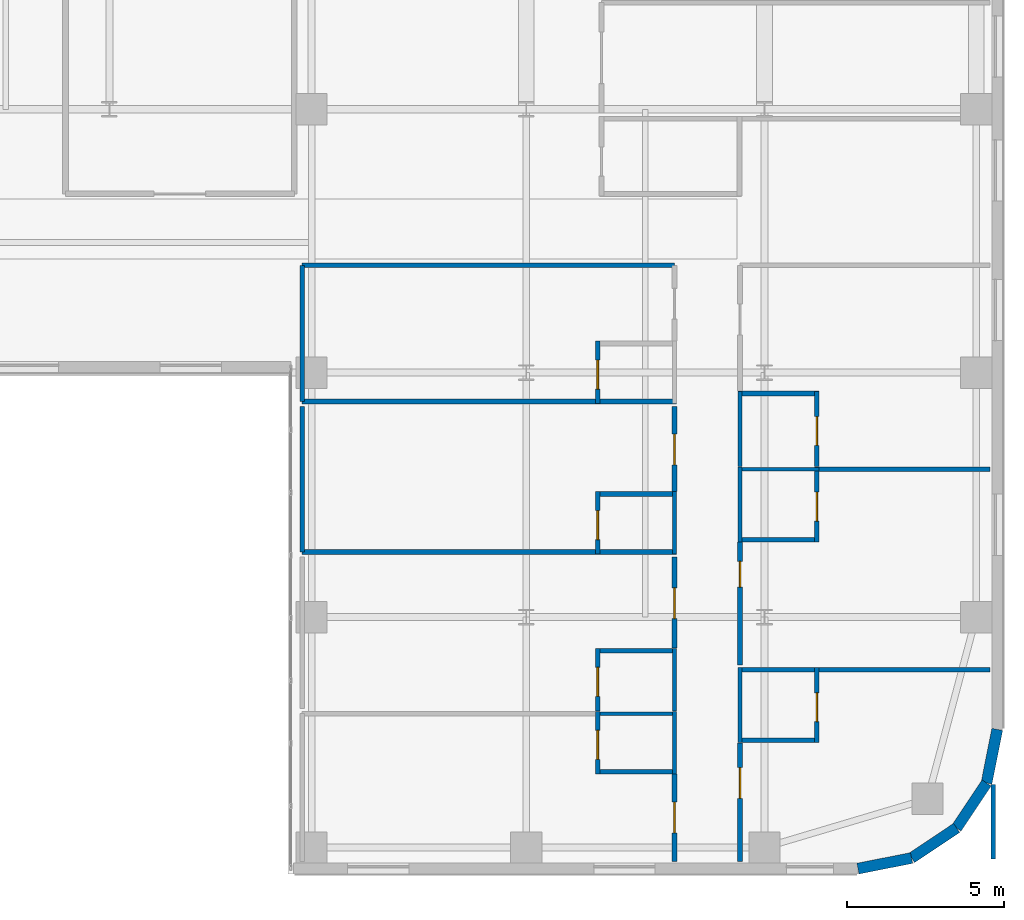
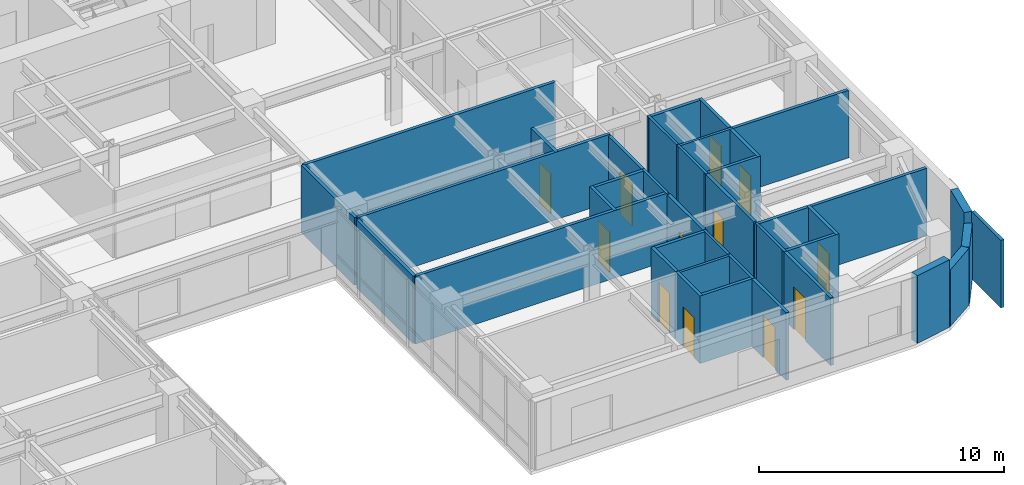
# One storey, part 16 of 25: 39 walls, 12 doors, 12 openings.
"""IFC4 building model written with IfcOpenShell, lengths in metres."""

import ifcopenshell
import ifcopenshell.guid

model = None  # the IFC model being written
_history = None  # IfcOwnerHistory: only IFC2X3 demands one
_inside = {}  # id of a spatial element -> (the spatial element, [elements in it])
_under = {}  # id of a project, library or spatial element -> (it, [spatial elements below it])
_declared = {}  # id of a project -> (the project, [libraries it declares])
_typed = {}  # id of a type object -> (the type object, [elements of that type])
_made_of = {}  # id of a material, layer set ... -> (it, [elements and type objects made of it])


def new_model(schema):
    """Start an empty IFC model of exactly this schema.

    Asked for "IFC4X3", IfcOpenShell would pick the latest addendum, in which some entities
    have other attributes; the version numbers below select the first issue.
    IFC2X3 requires an IfcOwnerHistory on every rooted entity: one is made here for all.
    """
    global model, _history
    if schema == "IFC4X3":
        model = ifcopenshell.file(schema_version=(4, 3, 0, 0))
    else:
        model = ifcopenshell.file(schema=schema)
    _inside.clear()
    _under.clear()
    _declared.clear()
    _typed.clear()
    _made_of.clear()
    _history = None
    if model.schema == "IFC2X3":
        org = make("IfcOrganization", Name="unknown")
        user = make(
            "IfcPersonAndOrganization",
            ThePerson=make("IfcPerson", FamilyName="unknown"),
            TheOrganization=org,
        )
        app = make(
            "IfcApplication",
            ApplicationDeveloper=org,
            Version="unknown",
            ApplicationFullName="unknown",
            ApplicationIdentifier="unknown",
        )
        _history = make(
            "IfcOwnerHistory",
            OwningUser=user,
            OwningApplication=app,
            ChangeAction="ADDED",
            CreationDate=0,
        )
    return model


def make(cls, **values):
    """One entity of the class cls with the attributes given. An attribute that is None is left unset."""
    return model.create_entity(
        cls, **{name: value for name, value in values.items() if value is not None}
    )


def rooted(cls, **values):
    """An entity with a GlobalId (a new one), such as an element, a storey or a relation."""
    return make(cls, GlobalId=ifcopenshell.guid.new(), OwnerHistory=_history, **values)


def si_unit(unit_type, name, prefix=None):
    """IfcSIUnit, for example si_unit("LENGTHUNIT", "METRE", prefix="MILLI")."""
    return make("IfcSIUnit", UnitType=unit_type, Prefix=prefix, Name=name)


def assignment(units):
    """IfcUnitAssignment: the units of a project."""
    return None if units is None else make("IfcUnitAssignment", Units=units)


def point(xyz):
    """IfcCartesianPoint."""
    return None if xyz is None else make("IfcCartesianPoint", Coordinates=xyz)


def direction(xyz):
    """IfcDirection."""
    return None if xyz is None else make("IfcDirection", DirectionRatios=xyz)


def frame(location, z_axis=None, x_axis=None):
    """IfcAxis2Placement3D, a coordinate frame: its origin and axes. An axis left out is left unset."""
    return make(
        "IfcAxis2Placement3D",
        Location=point(location),
        Axis=direction(z_axis),
        RefDirection=direction(x_axis),
    )


def frame_2d(location, x_axis=None):
    """IfcAxis2Placement2D, a coordinate frame in the plane: its origin and x axis."""
    return make(
        "IfcAxis2Placement2D", Location=point(location), RefDirection=direction(x_axis)
    )


def origin():
    """The frame at (0, 0, 0) with its axes left unset."""
    return frame((0.0, 0.0, 0.0))


def place(relative_to, where):
    """IfcLocalPlacement: puts the frame where relative to a parent placement (None: the world)."""
    return make(
        "IfcLocalPlacement", PlacementRelTo=relative_to, RelativePlacement=where
    )


def context(
    kind, dimensions, precision=None, world=None, true_north=None, identifier=None
):
    """IfcGeometricRepresentationContext, for example the 3D "Model" context."""
    return make(
        "IfcGeometricRepresentationContext",
        ContextIdentifier=identifier,
        ContextType=kind,
        CoordinateSpaceDimension=dimensions,
        Precision=precision,
        WorldCoordinateSystem=world,
        TrueNorth=true_north,
    )


def subcontext(parent, identifier, kind, view, scale=None):
    """IfcGeometricRepresentationSubContext, for example "Body" below "Model"."""
    return make(
        "IfcGeometricRepresentationSubContext",
        ContextIdentifier=identifier,
        ContextType=kind,
        ParentContext=parent,
        TargetScale=scale,
        TargetView=view,
    )


def project(units=None, contexts=None):
    """IfcProject with its units and contexts."""
    return rooted(
        "IfcProject",
        Name="project",
        RepresentationContexts=contexts,
        UnitsInContext=assignment(units),
    )


def spatial(cls, under=None, at=None, **own):
    """A site, building, storey or space (cls), placed at a placement, below another one or the project."""
    s = rooted(cls, ObjectPlacement=at, **own)
    if under is not None:
        _under.setdefault(under.id(), (under, []))[1].append(s)
    return s


def profile(cls, at=None, kind="AREA", **sizes):
    """A parametric profile (cls). Its sizes go by their IFC names, for example OverallWidth=200.0."""
    return make(cls, ProfileType=kind, Position=at, **sizes)


def rectangle(**sizes):
    """IfcRectangleProfileDef."""
    return profile("IfcRectangleProfileDef", **sizes)


def extrude(swept, where, along, depth):
    """IfcExtrudedAreaSolid: the profile swept, set in the frame where, extruded along a direction by depth."""
    return make(
        "IfcExtrudedAreaSolid",
        SweptArea=swept,
        Position=where,
        ExtrudedDirection=direction(along),
        Depth=depth,
    )


def shape(context_of_items, identifier, shape_type, items):
    """IfcShapeRepresentation: the items that make up one representation, for example the "Body"."""
    return make(
        "IfcShapeRepresentation",
        ContextOfItems=context_of_items,
        RepresentationIdentifier=identifier,
        RepresentationType=shape_type,
        Items=items,
    )


def source(mapping_origin, context_of_items, identifier, shape_type, items):
    """IfcRepresentationMap: a shape defined once, which mapped items show again and again."""
    return make(
        "IfcRepresentationMap",
        MappingOrigin=mapping_origin,
        MappedRepresentation=shape(context_of_items, identifier, shape_type, items),
    )


def transform(
    local_origin,
    x_axis=None,
    y_axis=None,
    z_axis=None,
    scale=None,
    scale2=None,
    scale3=None,
    uniform=True,
):
    """IfcCartesianTransformationOperator3D, or its non-uniform kind. x_axis, y_axis, z_axis: its Axis1, 2, 3."""
    if uniform:
        return make(
            "IfcCartesianTransformationOperator3D",
            Axis1=direction(x_axis),
            Axis2=direction(y_axis),
            LocalOrigin=point(local_origin),
            Scale=scale,
            Axis3=direction(z_axis),
        )
    return make(
        "IfcCartesianTransformationOperator3DnonUniform",
        Axis1=direction(x_axis),
        Axis2=direction(y_axis),
        LocalOrigin=point(local_origin),
        Scale=scale,
        Axis3=direction(z_axis),
        Scale2=scale2,
        Scale3=scale3,
    )


def mapped(mapping_source, mapping_target):
    """IfcMappedItem: shows the shape of a source again, moved by a transform."""
    return make(
        "IfcMappedItem", MappingSource=mapping_source, MappingTarget=mapping_target
    )


def material(Name=None, Category=None):
    """IfcMaterial."""
    return make("IfcMaterial", Name=Name, Category=Category)


def layer(
    of_material, thickness, ventilated=None, Name=None, Category=None, Priority=None
):
    """IfcMaterialLayer: one layer of a wall or slab, of a material (None: an air gap)."""
    return make(
        "IfcMaterialLayer",
        Material=of_material,
        LayerThickness=thickness,
        IsVentilated=ventilated,
        Name=Name,
        Category=Category,
        Priority=Priority,
    )


def layer_set(layers, Name=None):
    """IfcMaterialLayerSet."""
    return make("IfcMaterialLayerSet", MaterialLayers=layers, LayerSetName=Name)


def made_of(thing, what):
    """Note that an element or type object is made of a material, layer set ...; save() writes the relation."""
    if what is not None:
        _made_of.setdefault(what.id(), (what, []))[1].append(thing)
    return thing


def type_object(cls, material=None, **own):
    """A type object (cls), such as IfcWallType, which elements share."""
    return made_of(rooted(cls, **own), material)


def type_shapes(of_type, sources):
    """Give a type object the sources (RepresentationMaps) that its elements show as mapped items."""
    of_type.RepresentationMaps = sources


def element(
    cls,
    number,
    at=None,
    inside=None,
    cuts=None,
    type_object=None,
    material=None,
    context=None,
    identifier="Body",
    shape_type=None,
    held_by="IfcProductDefinitionShape",
    body=None,
    shapes=None,
    **own,
):
    """One element of the class cls, such as IfcWall. Its Tag is "e" and its number.

    at: its placement. inside: the storey or other place that contains it. cuts: it is an
    opening in that element (IfcRelVoidsElement). A single representation is given by context,
    identifier, shape_type and body (its items); several are given by shapes. held_by: the class
    of the entity that holds the representations. save() writes the other relations.
    """
    e = rooted(cls, Tag="e%d" % number, ObjectPlacement=at, **own)
    if body is not None:
        shapes = [shape(context, identifier, shape_type, body)]
    if shapes is not None:
        e.Representation = make(held_by, Representations=shapes)
    if inside is not None:
        _inside.setdefault(inside.id(), (inside, []))[1].append(e)
    if cuts is not None:
        rooted(
            "IfcRelVoidsElement", RelatingBuildingElement=cuts, RelatedOpeningElement=e
        )
    if type_object is not None:
        _typed.setdefault(type_object.id(), (type_object, []))[1].append(e)
    return made_of(e, material)


def fill(opening, filler):
    """IfcRelFillsElement: the door or window that sits in an opening."""
    return rooted(
        "IfcRelFillsElement",
        RelatingOpeningElement=opening,
        RelatedBuildingElement=filler,
    )


def aggregate(whole, parts):
    """IfcRelAggregates: a whole, such as a stair, and the parts it consists of."""
    return rooted("IfcRelAggregates", RelatingObject=whole, RelatedObjects=parts)


def save(model, path):
    """Write the relations noted so far, then the file.

    IfcRelAggregates (storeys below a building ...), IfcRelContainedInSpatialStructure (elements
    in a storey), IfcRelDefinesByType, IfcRelAssociatesMaterial and IfcRelDeclares: one each for
    every whole, place, type object, material and project.
    """
    for whole, parts in _under.values():
        aggregate(whole, parts)
    for where, things in _inside.values():
        rooted(
            "IfcRelContainedInSpatialStructure",
            RelatedElements=things,
            RelatingStructure=where,
        )
    for kind, things in _typed.values():
        rooted("IfcRelDefinesByType", RelatedObjects=things, RelatingType=kind)
    for what, things in _made_of.values():
        rooted("IfcRelAssociatesMaterial", RelatedObjects=things, RelatingMaterial=what)
    for by, libraries in _declared.values():
        rooted("IfcRelDeclares", RelatingContext=by, RelatedDefinitions=libraries)
    model.write(path)


model = new_model("IFC4")

# Units and contexts
model_context = context("Model", 3, precision=1e-05, world=origin(), true_north=direction((0.0, 1.0)))
body_context = subcontext(model_context, "Body", "Model", "MODEL_VIEW")
ifc_project = project(units=[si_unit("LENGTHUNIT", "METRE"), si_unit("AREAUNIT", "SQUARE_METRE"), si_unit("VOLUMEUNIT", "CUBIC_METRE"), si_unit("PLANEANGLEUNIT", "RADIAN"), si_unit("MASSUNIT", "GRAM", prefix="KILO")], contexts=[model_context])

# Site, building, storey
site_placement = place(None, origin())
site = spatial("IfcSite", under=ifc_project, at=site_placement, CompositionType="ELEMENT")
building_placement = place(site_placement, origin())
building = spatial("IfcBuilding", under=site, at=building_placement, Name="Tolvann Quenvar Hotel", CompositionType="ELEMENT")
storey_placement = place(building_placement, frame((0.0, 0.0, 46.199951171875)))
storey = spatial("IfcBuildingStorey", under=building, at=storey_placement, Name="L10", CompositionType="ELEMENT", Elevation=46.199951171875)

# Walls
ifc_material_1 = material(Name="Kiln-fired red and buff architectural clay brickwork and terracotta masonry", Category="masonry")
ifc_layer_1 = layer(ifc_material_1, 0.35009765625)
ifc_layer_set_1 = layer_set([ifc_layer_1], Name="Kiln-fired red and buff architectural clay brickwork and terracotta masonry")
wall_type_1 = type_object("IfcWallType", Name="WALL_EXT_BRICK_350", PredefinedType="SOLIDWALL", material=ifc_layer_set_1)
wall_1_placement = place(storey_placement, frame((52.3828125, 0.175048828125, 0.0), z_axis=(0.0, 0.0, 1.0), x_axis=(0.980800971659, 0.195011420161, 0.0)))
element("IfcWall", 1, at=wall_1_placement, inside=storey, type_object=wall_type_1, Name="Exterior Chicago Brick Wall L10-E09", PredefinedType="SOLIDWALL", context=body_context, shape_type="SweptSolid", body=[
    extrude(rectangle(XDim=1.74267578125, YDim=0.35009765625, at=frame_2d((0.871337890625, 0.0))), origin(), (0.0, 0.0, 1.0), 3.3701171875),
])
for number, where, z_axis, x_axis, name in (
    (2, (54.092041015625, 0.514892578125, 0.0), (0.0, 0.0, 1.0), (0.831483840845, 0.55554893791, 0.0), "Exterior Chicago Brick Wall L10-E10"),
    (3, (55.526611328125, 1.473388671875, 0.0), (0.0, 0.0, 1.0), (0.55554893791, 0.831483840845, 0.0), "Exterior Chicago Brick Wall L10-E11"),
):
    element("IfcWall", number, at=place(storey_placement, frame(where, z_axis=z_axis, x_axis=x_axis)), inside=storey, type_object=wall_type_1, Name=name, PredefinedType="SOLIDWALL", context=body_context, shape_type="SweptSolid", body=[
        extrude(rectangle(XDim=1.725341796875, YDim=0.35009765625, at=frame_2d((0.86279296875, 0.0))), origin(), (0.0, 0.0, 1.0), 2.83203125),
    ])
wall_2_placement = place(storey_placement, frame((56.485107421875, 2.907958984375, 0.0), z_axis=(0.0, 0.0, 1.0), x_axis=(0.195011420161, 0.980800971659, 0.0)))
element("IfcWall", 4, at=wall_2_placement, inside=storey, type_object=wall_type_1, Name="Exterior Chicago Brick Wall L10-E12", PredefinedType="SOLIDWALL", context=body_context, shape_type="SweptSolid", body=[
    extrude(rectangle(XDim=1.74267578125, YDim=0.35009765625, at=frame_2d((0.871337890625, 0.0))), origin(), (0.0, 0.0, 1.0), 3.3701171875),
])
ifc_material_2 = material(Name="Moisture-resistant acoustic plumbing wall assembly")
ifc_layer_2 = layer(ifc_material_2, 0.1201171875)
ifc_layer_set_2 = layer_set([ifc_layer_2], Name="Moisture-resistant acoustic plumbing wall assembly")
wall_type_2 = type_object("IfcWallType", Name="WALL_PART_BATH_120", PredefinedType="PLUMBINGWALL", material=ifc_layer_set_2)
wall_3_placement = place(storey_placement, frame((44.010009765625, 5.1201171875, 0.0), z_axis=(0.0, 0.0, 1.0), x_axis=(1.0, 0.0, 0.0)))
element("IfcWall", 5, at=wall_3_placement, inside=storey, type_object=wall_type_2, Name="Non-Rated Plumbing Partition PT-SPC-L10-ENS-EI01-N", PredefinedType="PLUMBINGWALL", context=body_context, shape_type="SweptSolid", body=[
    extrude(rectangle(XDim=2.590087890625, YDim=0.1201171875, at=frame_2d((1.294921875, 0.0))), origin(), (0.0, 0.0, 1.0), 3.3701171875),
])
for number, where, z_axis, x_axis, name in (
    (6, (46.530029296875, 3.199951171875, 0.0), (0.0, 0.0, 1.0), (0.0, 1.0, 0.0), "Non-Rated Plumbing Partition PT-SPC-L10-ENS-EI01-E"),
    (7, (46.530029296875, 5.2099609375, 0.0), (0.0, 0.0, 1.0), (0.0, 1.0, 0.0), "Non-Rated Plumbing Partition PT-SPC-L10-ENS-EI02-E"),
    (8, (46.530029296875, 10.2099609375, 0.0), (0.0, 0.0, 1.0), (0.0, 1.0, 0.0), "Non-Rated Plumbing Partition PT-SPC-L10-ENS-EI03-E"),
):
    element("IfcWall", number, at=place(storey_placement, frame(where, z_axis=z_axis, x_axis=x_axis)), inside=storey, type_object=wall_type_2, Name=name, PredefinedType="PLUMBINGWALL", context=body_context, shape_type="SweptSolid", body=[
        extrude(rectangle(XDim=1.989990234375, YDim=0.1201171875, at=frame_2d((0.9951171875, 0.0))), origin(), (0.0, 0.0, 1.0), 3.3701171875),
    ])
wall_4_placement = place(storey_placement, frame((48.6201171875, 4.199951171875, 0.0), z_axis=(0.0, 0.0, 1.0), x_axis=(0.0, 1.0, 0.0)))
element("IfcWall", 9, at=wall_4_placement, inside=storey, type_object=wall_type_2, Name="Non-Rated Plumbing Partition PT-SPC-L10-ENS-EO01-W", PredefinedType="PLUMBINGWALL", context=body_context, shape_type="SweptSolid", body=[
    extrude(rectangle(XDim=2.39013671875, YDim=0.1201171875, at=frame_2d((1.195068359375, 0.0))), origin(), (0.0, 0.0, 1.0), 3.3701171875),
])
wall_5_placement = place(storey_placement, frame((48.550048828125, 12.919921875, 0.0), z_axis=(0.0, 0.0, 1.0), x_axis=(1.0, 0.0, 0.0)))
element("IfcWall", 10, at=wall_5_placement, inside=storey, type_object=wall_type_2, Name="Non-Rated Plumbing Partition PT-SPC-L10-ENS-EO02-N", PredefinedType="PLUMBINGWALL", context=body_context, shape_type="SweptSolid", body=[
    extrude(rectangle(XDim=2.58984375, YDim=0.1201171875, at=frame_2d((1.294921875, 0.0))), origin(), (0.0, 0.0, 1.0), 3.3701171875),
])
for number, where, z_axis, x_axis, name in (
    (11, (48.6201171875, 10.60009765625, 0.0), (0.0, 0.0, 1.0), (0.0, 1.0, 0.0), "Non-Rated Plumbing Partition PT-SPC-L10-ENS-EO02-W"),
    (12, (48.6201171875, 13.010009765625, 0.0), (0.0, 0.0, 1.0), (0.0, 1.0, 0.0), "Non-Rated Plumbing Partition PT-SPC-L10-ENS-EO03-W"),
):
    element("IfcWall", number, at=place(storey_placement, frame(where, z_axis=z_axis, x_axis=x_axis)), inside=storey, type_object=wall_type_2, Name=name, PredefinedType="PLUMBINGWALL", context=body_context, shape_type="SweptSolid", body=[
        extrude(rectangle(XDim=2.389892578125, YDim=0.1201171875, at=frame_2d((1.19482421875, 0.0))), origin(), (0.0, 0.0, 1.0), 3.3701171875),
    ])

# Wall, opening, door
ifc_material_3 = material(Name="Acoustic twin-stud fire-rated gypsum plasterboard partition")
ifc_layer_3 = layer(ifc_material_3, 0.14990234375)
ifc_layer_set_3 = layer_set([ifc_layer_3], Name="Acoustic twin-stud fire-rated gypsum plasterboard partition")
wall_type_3 = type_object("IfcWallType", Name="WALL_PART_SUITE_150", PredefinedType="PARTITIONING", material=ifc_layer_set_3)
wall_6_placement = place(storey_placement, frame((44.080078125, 3.199951171875, 0.0), z_axis=(0.0, 0.0, 1.0), x_axis=(0.0, 1.0, 0.0)))
wall_6 = element("IfcWall", 13, at=wall_6_placement, inside=storey, type_object=wall_type_3, Name="Interior Partition PT-SPC-L10-ENS-EI01-ENT", PredefinedType="PARTITIONING", context=body_context, shape_type="SweptSolid", body=[
    extrude(rectangle(XDim=1.989990234375, YDim=0.14990234375, at=frame_2d((0.9951171875, 0.0))), origin(), (0.0, 0.0, 1.0), 3.3701171875),
])
opening_1_placement = place(wall_6_placement, frame((0.465087890625, 0.0, 0.0)))
opening_1 = element("IfcOpeningElement", 14, at=opening_1_placement, cuts=wall_6, Name="Opening WD-01", PredefinedType="OPENING", context=body_context, shape_type="SweptSolid", body=[
    extrude(rectangle(XDim=0.919921875, YDim=2.010009765625, at=frame_2d((0.4599609375, 1.0048828125))), frame((0.0, 0.0849609375, 0.0), z_axis=(0.0, -1.0, 0.0), x_axis=(1.0, 0.0, 0.0)), (0.0, 0.0, 1.0), 0.169921875),
])
ifc_material_4 = material(Name="Solid-core American oak acoustic fire door leaf in steel frame", Category="steel")
door_type_1 = type_object("IfcDoorType", Name="DOOR_WC_920", OperationType="NOTDEFINED", PredefinedType="DOOR", material=ifc_material_4)
shared_shape_1 = source(origin(), body_context, "Body", "SweptSolid", [
    extrude(rectangle(XDim=0.919921875, YDim=2.010009765625, at=frame_2d((0.4599609375, 1.0048828125))), frame((0.0, 0.02490234375, 0.0), z_axis=(0.0, -1.0, 0.0), x_axis=(1.0, 0.0, 0.0)), (0.0, 0.0, 1.0), 0.050048828125),
])
type_shapes(door_type_1, [shared_shape_1])
door_1_placement = place(opening_1_placement, origin())
door_1 = element("IfcDoor", 15, at=door_1_placement, inside=storey, type_object=door_type_1, Name="Interior Door DOOR-SPC-L10-ENS-EI01", OperationType="SINGLE_SWING_LEFT", OverallHeight=2.010009765625, OverallWidth=0.919921875, PredefinedType="DOOR", context=body_context, shape_type="MappedRepresentation", body=[
    mapped(shared_shape_1, transform((0.0, 0.0, 0.0), x_axis=(1.0, 0.0, 0.0), y_axis=(0.0, 1.0, 0.0), z_axis=(0.0, 0.0, 1.0), scale=1.0)),
])
fill(opening_1, door_1)

# Wall
wall_7_placement = place(storey_placement, frame((44.010009765625, 3.27001953125, 0.0), z_axis=(0.0, 0.0, 1.0), x_axis=(1.0, 0.0, 0.0)))
element("IfcWall", 16, at=wall_7_placement, inside=storey, type_object=wall_type_3, Name="Interior Partition PT-SPC-L10-ENS-EI01-S", PredefinedType="PARTITIONING", context=body_context, shape_type="SweptSolid", body=[
    extrude(rectangle(XDim=2.590087890625, YDim=0.14990234375, at=frame_2d((1.294921875, 0.0))), origin(), (0.0, 0.0, 1.0), 3.3701171875),
])

# Wall, opening, door
wall_8_placement = place(storey_placement, frame((44.080078125, 5.2099609375, 0.0), z_axis=(0.0, 0.0, 1.0), x_axis=(0.0, 1.0, 0.0)))
wall_8 = element("IfcWall", 17, at=wall_8_placement, inside=storey, type_object=wall_type_3, Name="Interior Partition PT-SPC-L10-ENS-EI02-ENT", PredefinedType="PARTITIONING", context=body_context, shape_type="SweptSolid", body=[
    extrude(rectangle(XDim=1.989990234375, YDim=0.14990234375, at=frame_2d((0.9951171875, 0.0))), origin(), (0.0, 0.0, 1.0), 3.3701171875),
])
opening_2_placement = place(wall_8_placement, frame((0.465087890625, 0.0, 0.0)))
opening_2 = element("IfcOpeningElement", 18, at=opening_2_placement, cuts=wall_8, Name="Opening WD-01", PredefinedType="OPENING", context=body_context, shape_type="SweptSolid", body=[
    extrude(rectangle(XDim=0.919921875, YDim=2.010009765625, at=frame_2d((0.4599609375, 1.0048828125))), frame((0.0, 0.0849609375, 0.0), z_axis=(0.0, -1.0, 0.0), x_axis=(1.0, 0.0, 0.0)), (0.0, 0.0, 1.0), 0.169921875),
])
door_2_placement = place(opening_2_placement, origin())
door_2 = element("IfcDoor", 19, at=door_2_placement, inside=storey, type_object=door_type_1, Name="Interior Door DOOR-SPC-L10-ENS-EI02", OperationType="SINGLE_SWING_RIGHT", OverallHeight=2.010009765625, OverallWidth=0.919921875, PredefinedType="DOOR", context=body_context, shape_type="MappedRepresentation", body=[
    mapped(shared_shape_1, transform((0.0, 0.0, 0.0), x_axis=(1.0, 0.0, 0.0), y_axis=(0.0, 1.0, 0.0), z_axis=(0.0, 0.0, 1.0), scale=1.0)),
])
fill(opening_2, door_2)

# Wall
wall_9_placement = place(storey_placement, frame((44.010009765625, 7.1298828125, 0.0), z_axis=(0.0, 0.0, 1.0), x_axis=(1.0, 0.0, 0.0)))
element("IfcWall", 20, at=wall_9_placement, inside=storey, type_object=wall_type_3, Name="Interior Partition PT-SPC-L10-ENS-EI02-N", PredefinedType="PARTITIONING", context=body_context, shape_type="SweptSolid", body=[
    extrude(rectangle(XDim=2.590087890625, YDim=0.14990234375, at=frame_2d((1.294921875, 0.0))), origin(), (0.0, 0.0, 1.0), 3.3701171875),
])

# Wall, opening, door
wall_10_placement = place(storey_placement, frame((44.080078125, 10.2099609375, 0.0), z_axis=(0.0, 0.0, 1.0), x_axis=(0.0, 1.0, 0.0)))
wall_10 = element("IfcWall", 21, at=wall_10_placement, inside=storey, type_object=wall_type_3, Name="Interior Partition PT-SPC-L10-ENS-EI03-ENT", PredefinedType="PARTITIONING", context=body_context, shape_type="SweptSolid", body=[
    extrude(rectangle(XDim=1.989990234375, YDim=0.14990234375, at=frame_2d((0.9951171875, 0.0))), origin(), (0.0, 0.0, 1.0), 3.3701171875),
])
opening_3_placement = place(wall_10_placement, frame((0.465087890625, 0.0, 0.0)))
opening_3 = element("IfcOpeningElement", 22, at=opening_3_placement, cuts=wall_10, Name="Opening WD-01", PredefinedType="OPENING", context=body_context, shape_type="SweptSolid", body=[
    extrude(rectangle(XDim=0.919921875, YDim=2.010009765625, at=frame_2d((0.4599609375, 1.0048828125))), frame((0.0, 0.0849609375, 0.0), z_axis=(0.0, -1.0, 0.0), x_axis=(1.0, 0.0, 0.0)), (0.0, 0.0, 1.0), 0.169921875),
])
door_3_placement = place(opening_3_placement, origin())
door_3 = element("IfcDoor", 23, at=door_3_placement, inside=storey, type_object=door_type_1, Name="Interior Door DOOR-SPC-L10-ENS-EI03", OperationType="SINGLE_SWING_LEFT", OverallHeight=2.010009765625, OverallWidth=0.919921875, PredefinedType="DOOR", context=body_context, shape_type="MappedRepresentation", body=[
    mapped(shared_shape_1, transform((0.0, 0.0, 0.0), x_axis=(1.0, 0.0, 0.0), y_axis=(0.0, 1.0, 0.0), z_axis=(0.0, 0.0, 1.0), scale=1.0)),
])
fill(opening_3, door_3)

# Walls
wall_11_placement = place(storey_placement, frame((34.64990234375, 10.280029296875, 0.0), z_axis=(0.0, 0.0, 1.0), x_axis=(1.0, 0.0, 0.0)))
element("IfcWall", 24, at=wall_11_placement, inside=storey, type_object=wall_type_3, Name="Interior Partition PT-SPC-L10-ENS-EI03-S", PredefinedType="PARTITIONING", context=body_context, shape_type="SweptSolid", body=[
    extrude(rectangle(XDim=11.9501953125, YDim=0.14990234375, at=frame_2d((5.97509765625, 0.0))), origin(), (0.0, 0.0, 1.0), 3.3701171875),
])
wall_12_placement = place(storey_placement, frame((44.010009765625, 12.1298828125, 0.0), z_axis=(0.0, 0.0, 1.0), x_axis=(1.0, 0.0, 0.0)))
element("IfcWall", 25, at=wall_12_placement, inside=storey, type_object=wall_type_3, Name="Interior Partition PT-SPC-L10-ENS-EI03-N", PredefinedType="PARTITIONING", context=body_context, shape_type="SweptSolid", body=[
    extrude(rectangle(XDim=2.590087890625, YDim=0.14990234375, at=frame_2d((1.294921875, 0.0))), origin(), (0.0, 0.0, 1.0), 3.3701171875),
])

# Wall, opening, door
wall_13_placement = place(storey_placement, frame((44.080078125, 15.010009765625, 0.0), z_axis=(0.0, 0.0, 1.0), x_axis=(0.0, 1.0, 0.0)))
wall_13 = element("IfcWall", 26, at=wall_13_placement, inside=storey, type_object=wall_type_3, Name="Interior Partition PT-SPC-L10-ENS-EI04-ENT", PredefinedType="PARTITIONING", context=body_context, shape_type="SweptSolid", body=[
    extrude(rectangle(XDim=1.989990234375, YDim=0.14990234375, at=frame_2d((0.9951171875, 0.0))), origin(), (0.0, 0.0, 1.0), 3.3701171875),
])
opening_4_placement = place(wall_13_placement, frame((0.465087890625, 0.0, 0.0)))
opening_4 = element("IfcOpeningElement", 27, at=opening_4_placement, cuts=wall_13, Name="Opening WD-01", PredefinedType="OPENING", context=body_context, shape_type="SweptSolid", body=[
    extrude(rectangle(XDim=0.919921875, YDim=2.010009765625, at=frame_2d((0.4599609375, 1.0048828125))), frame((0.0, 0.0849609375, 0.0), z_axis=(0.0, -1.0, 0.0), x_axis=(1.0, 0.0, 0.0)), (0.0, 0.0, 1.0), 0.169921875),
])
door_4_placement = place(opening_4_placement, origin())
door_4 = element("IfcDoor", 28, at=door_4_placement, inside=storey, type_object=door_type_1, Name="Interior Door DOOR-SPC-L10-ENS-EI04", OperationType="SINGLE_SWING_RIGHT", OverallHeight=2.010009765625, OverallWidth=0.919921875, PredefinedType="DOOR", context=body_context, shape_type="MappedRepresentation", body=[
    mapped(shared_shape_1, transform((0.0, 0.0, 0.0), x_axis=(1.0, 0.0, 0.0), y_axis=(0.0, 1.0, 0.0), z_axis=(0.0, 0.0, 1.0), scale=1.0)),
])
fill(opening_4, door_4)

# Wall
wall_14_placement = place(storey_placement, frame((34.64990234375, 15.080078125, 0.0), z_axis=(0.0, 0.0, 1.0), x_axis=(1.0, 0.0, 0.0)))
element("IfcWall", 29, at=wall_14_placement, inside=storey, type_object=wall_type_3, Name="Interior Partition PT-SPC-L10-ENS-EI04-S", PredefinedType="PARTITIONING", context=body_context, shape_type="SweptSolid", body=[
    extrude(rectangle(XDim=11.9501953125, YDim=0.14990234375, at=frame_2d((5.97509765625, 0.0))), origin(), (0.0, 0.0, 1.0), 3.3701171875),
])

# Wall, opening, door
wall_15_placement = place(storey_placement, frame((51.070068359375, 4.199951171875, 0.0), z_axis=(0.0, 0.0, 1.0), x_axis=(0.0, 1.0, 0.0)))
wall_15 = element("IfcWall", 30, at=wall_15_placement, inside=storey, type_object=wall_type_3, Name="Interior Partition PT-SPC-L10-ENS-EO01-ENT", PredefinedType="PARTITIONING", context=body_context, shape_type="SweptSolid", body=[
    extrude(rectangle(XDim=2.39013671875, YDim=0.14990234375, at=frame_2d((1.195068359375, 0.0))), origin(), (0.0, 0.0, 1.0), 3.3701171875),
])
opening_5_placement = place(wall_15_placement, frame((0.6650390625, 0.0, 0.0)))
opening_5 = element("IfcOpeningElement", 31, at=opening_5_placement, cuts=wall_15, Name="Opening WD-01", PredefinedType="OPENING", context=body_context, shape_type="SweptSolid", body=[
    extrude(rectangle(XDim=0.919921875, YDim=2.010009765625, at=frame_2d((0.4599609375, 1.0048828125))), frame((0.0, 0.0849609375, 0.0), z_axis=(0.0, -1.0, 0.0), x_axis=(1.0, 0.0, 0.0)), (0.0, 0.0, 1.0), 0.169921875),
])
door_5_placement = place(opening_5_placement, origin())
door_5 = element("IfcDoor", 32, at=door_5_placement, inside=storey, type_object=door_type_1, Name="Interior Door DOOR-SPC-L10-ENS-EO01", OperationType="SINGLE_SWING_LEFT", OverallHeight=2.010009765625, OverallWidth=0.919921875, PredefinedType="DOOR", context=body_context, shape_type="MappedRepresentation", body=[
    mapped(shared_shape_1, transform((0.0, 0.0, 0.0), x_axis=(1.0, 0.0, 0.0), y_axis=(0.0, 1.0, 0.0), z_axis=(0.0, 0.0, 1.0), scale=1.0)),
])
fill(opening_5, door_5)

# Walls
for number, where, z_axis, x_axis, name in (
    (33, (48.550048828125, 4.27001953125, 0.0), (0.0, 0.0, 1.0), (1.0, 0.0, 0.0), "Interior Partition PT-SPC-L10-ENS-EO01-S"),
    (34, (48.550048828125, 6.52001953125, 0.0), (0.0, 0.0, 1.0), (1.0, 0.0, 0.0), "Interior Partition PT-SPC-L10-ENS-EO01-N"),
):
    element("IfcWall", number, at=place(storey_placement, frame(where, z_axis=z_axis, x_axis=x_axis)), inside=storey, type_object=wall_type_3, Name=name, PredefinedType="PARTITIONING", context=body_context, shape_type="SweptSolid", body=[
        extrude(rectangle(XDim=2.58984375, YDim=0.14990234375, at=frame_2d((1.294921875, 0.0))), origin(), (0.0, 0.0, 1.0), 3.3701171875),
    ])

# Wall, opening, door
wall_16_placement = place(storey_placement, frame((51.070068359375, 10.60009765625, 0.0), z_axis=(0.0, 0.0, 1.0), x_axis=(0.0, 1.0, 0.0)))
wall_16 = element("IfcWall", 35, at=wall_16_placement, inside=storey, type_object=wall_type_3, Name="Interior Partition PT-SPC-L10-ENS-EO02-ENT", PredefinedType="PARTITIONING", context=body_context, shape_type="SweptSolid", body=[
    extrude(rectangle(XDim=2.389892578125, YDim=0.14990234375, at=frame_2d((1.19482421875, 0.0))), origin(), (0.0, 0.0, 1.0), 3.3701171875),
])
opening_6_placement = place(wall_16_placement, frame((0.6650390625, 0.0, 0.0)))
opening_6 = element("IfcOpeningElement", 36, at=opening_6_placement, cuts=wall_16, Name="Opening WD-01", PredefinedType="OPENING", context=body_context, shape_type="SweptSolid", body=[
    extrude(rectangle(XDim=0.919921875, YDim=2.010009765625, at=frame_2d((0.4599609375, 1.0048828125))), frame((0.0, 0.0849609375, 0.0), z_axis=(0.0, -1.0, 0.0), x_axis=(1.0, 0.0, 0.0)), (0.0, 0.0, 1.0), 0.169921875),
])
door_6_placement = place(opening_6_placement, origin())
door_6 = element("IfcDoor", 37, at=door_6_placement, inside=storey, type_object=door_type_1, Name="Interior Door DOOR-SPC-L10-ENS-EO02", OperationType="SINGLE_SWING_RIGHT", OverallHeight=2.010009765625, OverallWidth=0.919921875, PredefinedType="DOOR", context=body_context, shape_type="MappedRepresentation", body=[
    mapped(shared_shape_1, transform((0.0, 0.0, 0.0), x_axis=(1.0, 0.0, 0.0), y_axis=(0.0, 1.0, 0.0), z_axis=(0.0, 0.0, 1.0), scale=1.0)),
])
fill(opening_6, door_6)

# Wall
wall_17_placement = place(storey_placement, frame((48.550048828125, 10.669921875, 0.0), z_axis=(0.0, 0.0, 1.0), x_axis=(1.0, 0.0, 0.0)))
element("IfcWall", 38, at=wall_17_placement, inside=storey, type_object=wall_type_3, Name="Interior Partition PT-SPC-L10-ENS-EO02-S", PredefinedType="PARTITIONING", context=body_context, shape_type="SweptSolid", body=[
    extrude(rectangle(XDim=2.58984375, YDim=0.14990234375, at=frame_2d((1.294921875, 0.0))), origin(), (0.0, 0.0, 1.0), 3.3701171875),
])

# Wall, opening, door
wall_18_placement = place(storey_placement, frame((51.070068359375, 13.010009765625, 0.0), z_axis=(0.0, 0.0, 1.0), x_axis=(0.0, 1.0, 0.0)))
wall_18 = element("IfcWall", 39, at=wall_18_placement, inside=storey, type_object=wall_type_3, Name="Interior Partition PT-SPC-L10-ENS-EO03-ENT", PredefinedType="PARTITIONING", context=body_context, shape_type="SweptSolid", body=[
    extrude(rectangle(XDim=2.389892578125, YDim=0.14990234375, at=frame_2d((1.19482421875, 0.0))), origin(), (0.0, 0.0, 1.0), 3.3701171875),
])
opening_7_placement = place(wall_18_placement, frame((0.6650390625, 0.0, 0.0)))
opening_7 = element("IfcOpeningElement", 40, at=opening_7_placement, cuts=wall_18, Name="Opening WD-01", PredefinedType="OPENING", context=body_context, shape_type="SweptSolid", body=[
    extrude(rectangle(XDim=0.919921875, YDim=2.010009765625, at=frame_2d((0.4599609375, 1.0048828125))), frame((0.0, 0.0849609375, 0.0), z_axis=(0.0, -1.0, 0.0), x_axis=(1.0, 0.0, 0.0)), (0.0, 0.0, 1.0), 0.169921875),
])
door_7_placement = place(opening_7_placement, origin())
door_7 = element("IfcDoor", 41, at=door_7_placement, inside=storey, type_object=door_type_1, Name="Interior Door DOOR-SPC-L10-ENS-EO03", OperationType="SINGLE_SWING_LEFT", OverallHeight=2.010009765625, OverallWidth=0.919921875, PredefinedType="DOOR", context=body_context, shape_type="MappedRepresentation", body=[
    mapped(shared_shape_1, transform((0.0, 0.0, 0.0), x_axis=(1.0, 0.0, 0.0), y_axis=(0.0, 1.0, 0.0), z_axis=(0.0, 0.0, 1.0), scale=1.0)),
])
fill(opening_7, door_7)

# Wall
wall_19_placement = place(storey_placement, frame((48.550048828125, 15.330078125, 0.0), z_axis=(0.0, 0.0, 1.0), x_axis=(1.0, 0.0, 0.0)))
element("IfcWall", 42, at=wall_19_placement, inside=storey, type_object=wall_type_3, Name="Interior Partition PT-SPC-L10-ENS-EO03-N", PredefinedType="PARTITIONING", context=body_context, shape_type="SweptSolid", body=[
    extrude(rectangle(XDim=2.58984375, YDim=0.14990234375, at=frame_2d((1.294921875, 0.0))), origin(), (0.0, 0.0, 1.0), 3.3701171875),
])

# Wall, opening, door
wall_20_placement = place(storey_placement, frame((46.530029296875, 0.405029296875, 0.0), z_axis=(0.0, 0.0, 1.0), x_axis=(0.0, 1.0, 0.0)))
wall_20 = element("IfcWall", 43, at=wall_20_placement, inside=storey, type_object=wall_type_3, Name="Interior Partition PT-SPC-L10-RM-EI01-ENT", PredefinedType="PARTITIONING", context=body_context, shape_type="SweptSolid", body=[
    extrude(rectangle(XDim=2.784912109375, YDim=0.14990234375, at=frame_2d((1.392578125, 0.0))), origin(), (0.0, 0.0, 1.0), 3.3701171875),
])
opening_8_placement = place(wall_20_placement, frame((0.909912109375, 0.0, 0.0)))
opening_8 = element("IfcOpeningElement", 44, at=opening_8_placement, cuts=wall_20, Name="Opening SD-01", PredefinedType="OPENING", context=body_context, shape_type="SweptSolid", body=[
    extrude(rectangle(XDim=0.97998046875, YDim=2.1201171875, at=frame_2d((0.489990234375, 1.06005859375))), frame((0.0, 0.0849609375, 0.0), z_axis=(0.0, -1.0, 0.0), x_axis=(1.0, 0.0, 0.0)), (0.0, 0.0, 1.0), 0.169921875),
])
door_type_2 = type_object("IfcDoorType", Name="DOOR_SUITE_980", OperationType="NOTDEFINED", PredefinedType="DOOR", material=ifc_material_4)
shared_shape_2 = source(origin(), body_context, "Body", "SweptSolid", [
    extrude(rectangle(XDim=0.97998046875, YDim=2.1201171875, at=frame_2d((0.489990234375, 1.06005859375))), frame((0.0, 0.02490234375, 0.0), z_axis=(0.0, -1.0, 0.0), x_axis=(1.0, 0.0, 0.0)), (0.0, 0.0, 1.0), 0.050048828125),
])
type_shapes(door_type_2, [shared_shape_2])
door_8_placement = place(opening_8_placement, origin())
door_8 = element("IfcDoor", 45, at=door_8_placement, inside=storey, type_object=door_type_2, Name="Interior Door DOOR-SPC-L10-RM-EI01", OperationType="SINGLE_SWING_RIGHT", OverallHeight=2.1201171875, OverallWidth=0.97998046875, PredefinedType="DOOR", context=body_context, shape_type="MappedRepresentation", body=[
    mapped(shared_shape_2, transform((0.0, 0.0, 0.0), x_axis=(1.0, 0.0, 0.0), y_axis=(0.0, 1.0, 0.0), z_axis=(0.0, 0.0, 1.0), scale=1.0)),
])
fill(opening_8, door_8)

wall_21_placement = place(storey_placement, frame((46.530029296875, 7.2099609375, 0.0), z_axis=(0.0, 0.0, 1.0), x_axis=(0.0, 1.0, 0.0)))
wall_21 = element("IfcWall", 46, at=wall_21_placement, inside=storey, type_object=wall_type_3, Name="Interior Partition PT-SPC-L10-RM-EI02-ENT", PredefinedType="PARTITIONING", context=body_context, shape_type="SweptSolid", body=[
    extrude(rectangle(XDim=2.91015625, YDim=0.14990234375, at=frame_2d((1.455078125, 0.0))), origin(), (0.0, 0.0, 1.0), 3.3701171875),
])
opening_9_placement = place(wall_21_placement, frame((0.945068359375, 0.0, 0.0)))
opening_9 = element("IfcOpeningElement", 47, at=opening_9_placement, cuts=wall_21, Name="Opening SD-01", PredefinedType="OPENING", context=body_context, shape_type="SweptSolid", body=[
    extrude(rectangle(XDim=0.97998046875, YDim=2.1201171875, at=frame_2d((0.489990234375, 1.06005859375))), frame((0.0, 0.0849609375, 0.0), z_axis=(0.0, -1.0, 0.0), x_axis=(1.0, 0.0, 0.0)), (0.0, 0.0, 1.0), 0.169921875),
])
door_9_placement = place(opening_9_placement, origin())
door_9 = element("IfcDoor", 48, at=door_9_placement, inside=storey, type_object=door_type_2, Name="Interior Door DOOR-SPC-L10-RM-EI02", OperationType="SINGLE_SWING_LEFT", OverallHeight=2.1201171875, OverallWidth=0.97998046875, PredefinedType="DOOR", context=body_context, shape_type="MappedRepresentation", body=[
    mapped(shared_shape_2, transform((0.0, 0.0, 0.0), x_axis=(1.0, 0.0, 0.0), y_axis=(0.0, 1.0, 0.0), z_axis=(0.0, 0.0, 1.0), scale=1.0)),
])
fill(opening_9, door_9)

wall_22_placement = place(storey_placement, frame((46.530029296875, 12.2099609375, 0.0), z_axis=(0.0, 0.0, 1.0), x_axis=(0.0, 1.0, 0.0)))
wall_22 = element("IfcWall", 49, at=wall_22_placement, inside=storey, type_object=wall_type_3, Name="Interior Partition PT-SPC-L10-RM-EI03-ENT", PredefinedType="PARTITIONING", context=body_context, shape_type="SweptSolid", body=[
    extrude(rectangle(XDim=2.7099609375, YDim=0.14990234375, at=frame_2d((1.35498046875, 0.0))), origin(), (0.0, 0.0, 1.0), 3.3701171875),
])
opening_10_placement = place(wall_22_placement, frame((0.844970703125, 0.0, 0.0)))
opening_10 = element("IfcOpeningElement", 50, at=opening_10_placement, cuts=wall_22, Name="Opening SD-01", PredefinedType="OPENING", context=body_context, shape_type="SweptSolid", body=[
    extrude(rectangle(XDim=0.97998046875, YDim=2.1201171875, at=frame_2d((0.489990234375, 1.06005859375))), frame((0.0, 0.0849609375, 0.0), z_axis=(0.0, -1.0, 0.0), x_axis=(1.0, 0.0, 0.0)), (0.0, 0.0, 1.0), 0.169921875),
])
door_10_placement = place(opening_10_placement, origin())
door_10 = element("IfcDoor", 51, at=door_10_placement, inside=storey, type_object=door_type_2, Name="Interior Door DOOR-SPC-L10-RM-EI03", OperationType="SINGLE_SWING_RIGHT", OverallHeight=2.1201171875, OverallWidth=0.97998046875, PredefinedType="DOOR", context=body_context, shape_type="MappedRepresentation", body=[
    mapped(shared_shape_2, transform((0.0, 0.0, 0.0), x_axis=(1.0, 0.0, 0.0), y_axis=(0.0, 1.0, 0.0), z_axis=(0.0, 0.0, 1.0), scale=1.0)),
])
fill(opening_10, door_10)

# Walls
wall_23_placement = place(storey_placement, frame((34.64990234375, 10.280029296875, 0.0), z_axis=(0.0, 0.0, 1.0), x_axis=(0.0, 1.0, 0.0)))
element("IfcWall", 52, at=wall_23_placement, inside=storey, type_object=wall_type_3, Name="Interior Partition PT-SPC-L10-RM-EI03-E6", PredefinedType="PARTITIONING", context=body_context, shape_type="SweptSolid", body=[
    extrude(rectangle(XDim=4.639892578125, YDim=0.14990234375, at=frame_2d((2.31982421875, 0.0))), origin(), (0.0, 0.0, 1.0), 3.3701171875),
])
wall_24_placement = place(storey_placement, frame((34.64990234375, 19.419921875, 0.0), z_axis=(0.0, 0.0, 1.0), x_axis=(1.0, 0.0, 0.0)))
element("IfcWall", 53, at=wall_24_placement, inside=storey, type_object=wall_type_3, Name="Interior Partition PT-SPC-L10-RM-EI04-E5", PredefinedType="PARTITIONING", context=body_context, shape_type="SweptSolid", body=[
    extrude(rectangle(XDim=11.880126953125, YDim=0.14990234375, at=frame_2d((5.93994140625, 0.0))), origin(), (0.0, 0.0, 1.0), 3.3701171875),
])
wall_25_placement = place(storey_placement, frame((34.64990234375, 15.080078125, 0.0), z_axis=(0.0, 0.0, 1.0), x_axis=(0.0, 1.0, 0.0)))
element("IfcWall", 54, at=wall_25_placement, inside=storey, type_object=wall_type_3, Name="Interior Partition PT-SPC-L10-RM-EI04-E6", PredefinedType="PARTITIONING", context=body_context, shape_type="SweptSolid", body=[
    extrude(rectangle(XDim=4.33984375, YDim=0.14990234375, at=frame_2d((2.169921875, 0.0))), origin(), (0.0, 0.0, 1.0), 3.3701171875),
])

# Wall, opening, door
wall_26_placement = place(storey_placement, frame((48.6201171875, 0.405029296875, 0.0), z_axis=(0.0, 0.0, 1.0), x_axis=(0.0, 1.0, 0.0)))
wall_26 = element("IfcWall", 55, at=wall_26_placement, inside=storey, type_object=wall_type_3, Name="Interior Partition PT-SPC-L10-RM-EO01-ENT", PredefinedType="PARTITIONING", context=body_context, shape_type="SweptSolid", body=[
    extrude(rectangle(XDim=3.784912109375, YDim=0.14990234375, at=frame_2d((1.892578125, 0.0))), origin(), (0.0, 0.0, 1.0), 3.3701171875),
])
opening_11_placement = place(wall_26_placement, frame((2.010009765625, 0.0, 0.0)))
opening_11 = element("IfcOpeningElement", 56, at=opening_11_placement, cuts=wall_26, Name="Opening SD-01", PredefinedType="OPENING", context=body_context, shape_type="SweptSolid", body=[
    extrude(rectangle(XDim=0.97998046875, YDim=2.1201171875, at=frame_2d((0.489990234375, 1.06005859375))), frame((0.0, 0.0849609375, 0.0), z_axis=(0.0, -1.0, 0.0), x_axis=(1.0, 0.0, 0.0)), (0.0, 0.0, 1.0), 0.169921875),
])
door_11_placement = place(opening_11_placement, origin())
door_11 = element("IfcDoor", 57, at=door_11_placement, inside=storey, type_object=door_type_2, Name="Interior Door DOOR-SPC-L10-RM-EO01", OperationType="SINGLE_SWING_RIGHT", OverallHeight=2.1201171875, OverallWidth=0.97998046875, PredefinedType="DOOR", context=body_context, shape_type="MappedRepresentation", body=[
    mapped(shared_shape_2, transform((0.0, 0.0, 0.0), x_axis=(1.0, 0.0, 0.0), y_axis=(0.0, 1.0, 0.0), z_axis=(0.0, 0.0, 1.0), scale=1.0)),
])
fill(opening_11, door_11)

# Walls
wall_27_placement = place(storey_placement, frame((56.699951171875, 0.47998046875, 0.0), z_axis=(0.0, 0.0, 1.0), x_axis=(0.0, 1.0, 0.0)))
element("IfcWall", 58, at=wall_27_placement, inside=storey, type_object=wall_type_3, Name="Interior Partition PT-SPC-L10-RM-EO01-E2", PredefinedType="PARTITIONING", context=body_context, shape_type="SweptSolid", body=[
    extrude(rectangle(XDim=2.385009765625, YDim=0.14990234375, at=frame_2d((1.1923828125, 0.0))), origin(), (0.0, 0.0, 1.0), 3.3701171875),
])
wall_28_placement = place(storey_placement, frame((51.090087890625, 6.52001953125, 0.0), z_axis=(0.0, 0.0, 1.0), x_axis=(1.0, 0.0, 0.0)))
element("IfcWall", 59, at=wall_28_placement, inside=storey, type_object=wall_type_3, Name="Interior Partition PT-SPC-L10-RM-EO01-E3", PredefinedType="PARTITIONING", context=body_context, shape_type="SweptSolid", body=[
    extrude(rectangle(XDim=5.5048828125, YDim=0.14990234375, at=frame_2d((2.75244140625, 0.0))), origin(), (0.0, 0.0, 1.0), 3.3701171875),
])

# Wall, opening, door
wall_29_placement = place(storey_placement, frame((48.6201171875, 6.679931640625, 0.0), z_axis=(0.0, 0.0, 1.0), x_axis=(0.0, 1.0, 0.0)))
wall_29 = element("IfcWall", 60, at=wall_29_placement, inside=storey, type_object=wall_type_3, Name="Interior Partition PT-SPC-L10-RM-EO02-ENT", PredefinedType="PARTITIONING", context=body_context, shape_type="SweptSolid", body=[
    extrude(rectangle(XDim=3.91015625, YDim=0.14990234375, at=frame_2d((1.955078125, 0.0))), origin(), (0.0, 0.0, 1.0), 3.3701171875),
])
opening_12_placement = place(wall_29_placement, frame((2.47509765625, 0.0, 0.0)))
opening_12 = element("IfcOpeningElement", 61, at=opening_12_placement, cuts=wall_29, Name="Opening HD-02", PredefinedType="OPENING", context=body_context, shape_type="SweptSolid", body=[
    extrude(rectangle(XDim=0.820068359375, YDim=2.010009765625, at=frame_2d((0.41015625, 1.0048828125))), frame((0.0, 0.0849609375, 0.0), z_axis=(0.0, -1.0, 0.0), x_axis=(1.0, 0.0, 0.0)), (0.0, 0.0, 1.0), 0.169921875),
])
ifc_material_5 = material(Name="Pressed galvanised steel fire-rated door set", Category="steel")
door_type_3 = type_object("IfcDoorType", Name="DOOR_STORE_820", OperationType="NOTDEFINED", PredefinedType="DOOR", material=ifc_material_5)
shared_shape_3 = source(origin(), body_context, "Body", "SweptSolid", [
    extrude(rectangle(XDim=0.820068359375, YDim=2.010009765625, at=frame_2d((0.41015625, 1.0048828125))), frame((0.0, 0.02490234375, 0.0), z_axis=(0.0, -1.0, 0.0), x_axis=(1.0, 0.0, 0.0)), (0.0, 0.0, 1.0), 0.050048828125),
])
type_shapes(door_type_3, [shared_shape_3])
door_12_placement = place(opening_12_placement, origin())
door_12 = element("IfcDoor", 62, at=door_12_placement, inside=storey, type_object=door_type_3, Name="Interior Door DOOR-SPC-L10-RM-EO02", OperationType="SINGLE_SWING_LEFT", OverallHeight=2.010009765625, OverallWidth=0.820068359375, PredefinedType="DOOR", context=body_context, shape_type="MappedRepresentation", body=[
    mapped(shared_shape_3, transform((0.0, 0.0, 0.0), x_axis=(1.0, 0.0, 0.0), y_axis=(0.0, 1.0, 0.0), z_axis=(0.0, 0.0, 1.0), scale=1.0)),
])
fill(opening_12, door_12)

# Wall
wall_30_placement = place(storey_placement, frame((51.090087890625, 12.919921875, 0.0), z_axis=(0.0, 0.0, 1.0), x_axis=(1.0, 0.0, 0.0)))
element("IfcWall", 63, at=wall_30_placement, inside=storey, type_object=wall_type_3, Name="Interior Partition PT-SPC-L10-RM-EO02-E3", PredefinedType="PARTITIONING", context=body_context, shape_type="SweptSolid", body=[
    extrude(rectangle(XDim=5.5048828125, YDim=0.14990234375, at=frame_2d((2.75244140625, 0.0))), origin(), (0.0, 0.0, 1.0), 3.3701171875),
])

save(model, "model.ifc")
